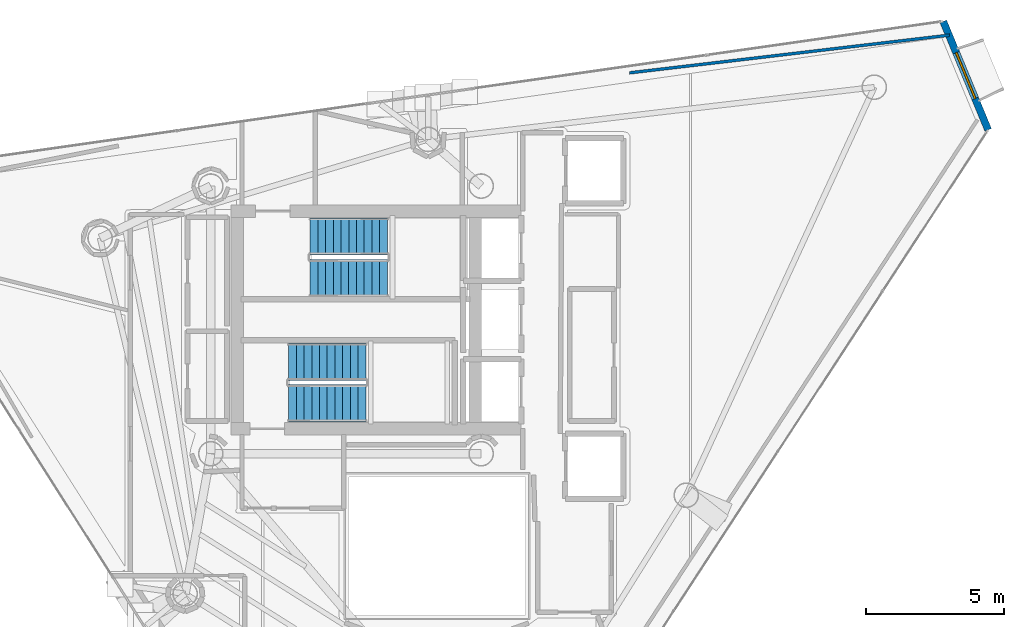
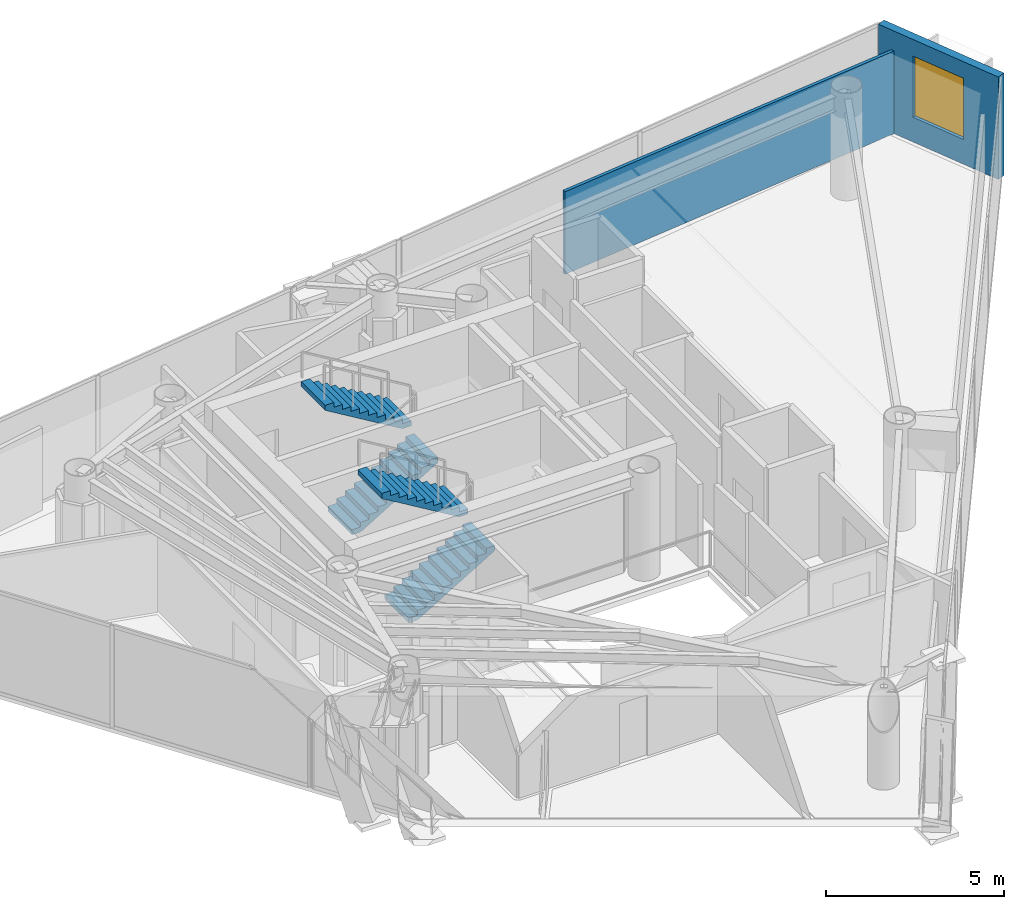
# One storey, part 22 of 25: 4 stair flights, 2 walls, 1 window, 1 opening, 2 elements without a shape of their own.
"""IFC4 building model written with IfcOpenShell, lengths in metres."""

import ifcopenshell
import ifcopenshell.guid

model = None  # the IFC model being written
_history = None  # IfcOwnerHistory: only IFC2X3 demands one
_inside = {}  # id of a spatial element -> (the spatial element, [elements in it])
_under = {}  # id of a project, library or spatial element -> (it, [spatial elements below it])
_declared = {}  # id of a project -> (the project, [libraries it declares])
_typed = {}  # id of a type object -> (the type object, [elements of that type])
_made_of = {}  # id of a material, layer set ... -> (it, [elements and type objects made of it])


def new_model(schema):
    """Start an empty IFC model of exactly this schema.

    Asked for "IFC4X3", IfcOpenShell would pick the latest addendum, in which some entities
    have other attributes; the version numbers below select the first issue.
    IFC2X3 requires an IfcOwnerHistory on every rooted entity: one is made here for all.
    """
    global model, _history
    if schema == "IFC4X3":
        model = ifcopenshell.file(schema_version=(4, 3, 0, 0))
    else:
        model = ifcopenshell.file(schema=schema)
    _inside.clear()
    _under.clear()
    _declared.clear()
    _typed.clear()
    _made_of.clear()
    _history = None
    if model.schema == "IFC2X3":
        org = make("IfcOrganization", Name="unknown")
        user = make(
            "IfcPersonAndOrganization",
            ThePerson=make("IfcPerson", FamilyName="unknown"),
            TheOrganization=org,
        )
        app = make(
            "IfcApplication",
            ApplicationDeveloper=org,
            Version="unknown",
            ApplicationFullName="unknown",
            ApplicationIdentifier="unknown",
        )
        _history = make(
            "IfcOwnerHistory",
            OwningUser=user,
            OwningApplication=app,
            ChangeAction="ADDED",
            CreationDate=0,
        )
    return model


def make(cls, **values):
    """One entity of the class cls with the attributes given. An attribute that is None is left unset."""
    return model.create_entity(
        cls, **{name: value for name, value in values.items() if value is not None}
    )


def rooted(cls, **values):
    """An entity with a GlobalId (a new one), such as an element, a storey or a relation."""
    return make(cls, GlobalId=ifcopenshell.guid.new(), OwnerHistory=_history, **values)


def si_unit(unit_type, name, prefix=None):
    """IfcSIUnit, for example si_unit("LENGTHUNIT", "METRE", prefix="MILLI")."""
    return make("IfcSIUnit", UnitType=unit_type, Prefix=prefix, Name=name)


def assignment(units):
    """IfcUnitAssignment: the units of a project."""
    return None if units is None else make("IfcUnitAssignment", Units=units)


def point(xyz):
    """IfcCartesianPoint."""
    return None if xyz is None else make("IfcCartesianPoint", Coordinates=xyz)


def direction(xyz):
    """IfcDirection."""
    return None if xyz is None else make("IfcDirection", DirectionRatios=xyz)


def frame(location, z_axis=None, x_axis=None):
    """IfcAxis2Placement3D, a coordinate frame: its origin and axes. An axis left out is left unset."""
    return make(
        "IfcAxis2Placement3D",
        Location=point(location),
        Axis=direction(z_axis),
        RefDirection=direction(x_axis),
    )


def frame_2d(location, x_axis=None):
    """IfcAxis2Placement2D, a coordinate frame in the plane: its origin and x axis."""
    return make(
        "IfcAxis2Placement2D", Location=point(location), RefDirection=direction(x_axis)
    )


def origin():
    """The frame at (0, 0, 0) with its axes left unset."""
    return frame((0.0, 0.0, 0.0))


def place(relative_to, where):
    """IfcLocalPlacement: puts the frame where relative to a parent placement (None: the world)."""
    return make(
        "IfcLocalPlacement", PlacementRelTo=relative_to, RelativePlacement=where
    )


def context(
    kind, dimensions, precision=None, world=None, true_north=None, identifier=None
):
    """IfcGeometricRepresentationContext, for example the 3D "Model" context."""
    return make(
        "IfcGeometricRepresentationContext",
        ContextIdentifier=identifier,
        ContextType=kind,
        CoordinateSpaceDimension=dimensions,
        Precision=precision,
        WorldCoordinateSystem=world,
        TrueNorth=true_north,
    )


def subcontext(parent, identifier, kind, view, scale=None):
    """IfcGeometricRepresentationSubContext, for example "Body" below "Model"."""
    return make(
        "IfcGeometricRepresentationSubContext",
        ContextIdentifier=identifier,
        ContextType=kind,
        ParentContext=parent,
        TargetScale=scale,
        TargetView=view,
    )


def project(units=None, contexts=None):
    """IfcProject with its units and contexts."""
    return rooted(
        "IfcProject",
        Name="project",
        RepresentationContexts=contexts,
        UnitsInContext=assignment(units),
    )


def spatial(cls, under=None, at=None, **own):
    """A site, building, storey or space (cls), placed at a placement, below another one or the project."""
    s = rooted(cls, ObjectPlacement=at, **own)
    if under is not None:
        _under.setdefault(under.id(), (under, []))[1].append(s)
    return s


def polyline(points):
    """IfcPolyline through the points."""
    return make("IfcPolyline", Points=[point(p) for p in points])


def profile(cls, at=None, kind="AREA", **sizes):
    """A parametric profile (cls). Its sizes go by their IFC names, for example OverallWidth=200.0."""
    return make(cls, ProfileType=kind, Position=at, **sizes)


def rectangle(**sizes):
    """IfcRectangleProfileDef."""
    return profile("IfcRectangleProfileDef", **sizes)


def outline(outer, holes=None, kind="AREA"):
    """IfcArbitraryClosedProfileDef: a profile drawn as a closed curve; with holes, ...WithVoids."""
    if holes is None:
        return make("IfcArbitraryClosedProfileDef", ProfileType=kind, OuterCurve=outer)
    return make(
        "IfcArbitraryProfileDefWithVoids",
        ProfileType=kind,
        OuterCurve=outer,
        InnerCurves=holes,
    )


def extrude(swept, where, along, depth):
    """IfcExtrudedAreaSolid: the profile swept, set in the frame where, extruded along a direction by depth."""
    return make(
        "IfcExtrudedAreaSolid",
        SweptArea=swept,
        Position=where,
        ExtrudedDirection=direction(along),
        Depth=depth,
    )


def shape(context_of_items, identifier, shape_type, items):
    """IfcShapeRepresentation: the items that make up one representation, for example the "Body"."""
    return make(
        "IfcShapeRepresentation",
        ContextOfItems=context_of_items,
        RepresentationIdentifier=identifier,
        RepresentationType=shape_type,
        Items=items,
    )


def material(Name=None, Category=None):
    """IfcMaterial."""
    return make("IfcMaterial", Name=Name, Category=Category)


def layer(
    of_material, thickness, ventilated=None, Name=None, Category=None, Priority=None
):
    """IfcMaterialLayer: one layer of a wall or slab, of a material (None: an air gap)."""
    return make(
        "IfcMaterialLayer",
        Material=of_material,
        LayerThickness=thickness,
        IsVentilated=ventilated,
        Name=Name,
        Category=Category,
        Priority=Priority,
    )


def layer_set(layers, Name=None):
    """IfcMaterialLayerSet."""
    return make("IfcMaterialLayerSet", MaterialLayers=layers, LayerSetName=Name)


def made_of(thing, what):
    """Note that an element or type object is made of a material, layer set ...; save() writes the relation."""
    if what is not None:
        _made_of.setdefault(what.id(), (what, []))[1].append(thing)
    return thing


def type_object(cls, material=None, **own):
    """A type object (cls), such as IfcWallType, which elements share."""
    return made_of(rooted(cls, **own), material)


def element(
    cls,
    number,
    at=None,
    inside=None,
    cuts=None,
    type_object=None,
    material=None,
    context=None,
    identifier="Body",
    shape_type=None,
    held_by="IfcProductDefinitionShape",
    body=None,
    shapes=None,
    **own,
):
    """One element of the class cls, such as IfcWall. Its Tag is "e" and its number.

    at: its placement. inside: the storey or other place that contains it. cuts: it is an
    opening in that element (IfcRelVoidsElement). A single representation is given by context,
    identifier, shape_type and body (its items); several are given by shapes. held_by: the class
    of the entity that holds the representations. save() writes the other relations.
    """
    e = rooted(cls, Tag="e%d" % number, ObjectPlacement=at, **own)
    if body is not None:
        shapes = [shape(context, identifier, shape_type, body)]
    if shapes is not None:
        e.Representation = make(held_by, Representations=shapes)
    if inside is not None:
        _inside.setdefault(inside.id(), (inside, []))[1].append(e)
    if cuts is not None:
        rooted(
            "IfcRelVoidsElement", RelatingBuildingElement=cuts, RelatedOpeningElement=e
        )
    if type_object is not None:
        _typed.setdefault(type_object.id(), (type_object, []))[1].append(e)
    return made_of(e, material)


def fill(opening, filler):
    """IfcRelFillsElement: the door or window that sits in an opening."""
    return rooted(
        "IfcRelFillsElement",
        RelatingOpeningElement=opening,
        RelatedBuildingElement=filler,
    )


def aggregate(whole, parts):
    """IfcRelAggregates: a whole, such as a stair, and the parts it consists of."""
    return rooted("IfcRelAggregates", RelatingObject=whole, RelatedObjects=parts)


def save(model, path):
    """Write the relations noted so far, then the file.

    IfcRelAggregates (storeys below a building ...), IfcRelContainedInSpatialStructure (elements
    in a storey), IfcRelDefinesByType, IfcRelAssociatesMaterial and IfcRelDeclares: one each for
    every whole, place, type object, material and project.
    """
    for whole, parts in _under.values():
        aggregate(whole, parts)
    for where, things in _inside.values():
        rooted(
            "IfcRelContainedInSpatialStructure",
            RelatedElements=things,
            RelatingStructure=where,
        )
    for kind, things in _typed.values():
        rooted("IfcRelDefinesByType", RelatedObjects=things, RelatingType=kind)
    for what, things in _made_of.values():
        rooted("IfcRelAssociatesMaterial", RelatedObjects=things, RelatingMaterial=what)
    for by, libraries in _declared.values():
        rooted("IfcRelDeclares", RelatingContext=by, RelatedDefinitions=libraries)
    model.write(path)


model = new_model("IFC4")

# Units and contexts
model_context = context("Model", 3, precision=1e-05, world=origin(), true_north=direction((0.0, 1.0)))
body_context = subcontext(model_context, "Body", "Model", "MODEL_VIEW")
ifc_project = project(units=[si_unit("LENGTHUNIT", "METRE"), si_unit("AREAUNIT", "SQUARE_METRE"), si_unit("VOLUMEUNIT", "CUBIC_METRE"), si_unit("PLANEANGLEUNIT", "RADIAN"), si_unit("MASSUNIT", "GRAM", prefix="KILO")], contexts=[model_context])

# Site, building, storey
site_placement = place(None, origin())
site = spatial("IfcSite", under=ifc_project, at=site_placement, CompositionType="ELEMENT")
building_placement = place(site_placement, origin())
building = spatial("IfcBuilding", under=site, at=building_placement, Name="Qianvela Tower", CompositionType="ELEMENT")
storey_placement = place(building_placement, frame((0.0, 0.0, 295.39990234375)))
storey = spatial("IfcBuildingStorey", under=building, at=storey_placement, Name="L76", CompositionType="ELEMENT", Elevation=295.39990234375)

# Wall, opening, window
ifc_material_1 = material(Name="Terracotta Cladding on Concrete C40", Category="masonry")
ifc_layer_1 = layer(ifc_material_1, 0.260009765625)
ifc_layer_set_1 = layer_set([ifc_layer_1], Name="Terracotta Cladding on Concrete C40")
wall_type_1 = type_object("IfcWallType", Name="TERRACOTTA-WALL-260", PredefinedType="SOLIDWALL", material=ifc_layer_set_1)
wall_1_placement = place(storey_placement, frame((56.7744140625, 35.58642578125, 0.0), z_axis=(0.0, 0.0, 1.0), x_axis=(-0.382036002316, 0.924147441123, 0.0)))
wall_1 = element("IfcWall", 1, at=wall_1_placement, inside=storey, type_object=wall_type_1, Name="L76 Terracotta Chamfer Facet Wall 1", PredefinedType="SOLIDWALL", context=body_context, shape_type="SweptSolid", body=[
    extrude(rectangle(XDim=4.2568359375, YDim=0.260009765625, at=frame_2d((2.12841796875, 0.0))), origin(), (0.0, 0.0, 1.0), 3.52001953125),
])
opening_placement = place(wall_1_placement, frame((1.228271484375, 0.0, 0.85009765625)))
opening = element("IfcOpeningElement", 2, at=opening_placement, cuts=wall_1, Name="Opening W-01", PredefinedType="OPENING", context=body_context, shape_type="SweptSolid", body=[
    extrude(rectangle(XDim=1.800048828125, YDim=2.10009765625, at=frame_2d((0.89990234375, 1.050048828125))), frame((0.0, 0.139892578125, 0.0), z_axis=(0.0, -1.0, 0.0), x_axis=(1.0, 0.0, 0.0)), (0.0, 0.0, 1.0), 0.280029296875),
])
ifc_material_2 = material(Name="Thermally Broken Aluminium and Low-E Glass", Category="aluminium")
window_type = type_object("IfcWindowType", Name="WIN-TC-1800x2100", PartitioningType="DOUBLE_PANEL_VERTICAL", PredefinedType="WINDOW", material=ifc_material_2)
window_placement = place(opening_placement, origin())
window = element("IfcWindow", 3, at=window_placement, inside=storey, type_object=window_type, Name="L76 Chamfer Facet Window 1.1", OverallHeight=2.10009765625, OverallWidth=1.800048828125, PartitioningType="SINGLE_PANEL", PredefinedType="WINDOW", context=body_context, shape_type="SweptSolid", body=[
    extrude(rectangle(XDim=1.800048828125, YDim=2.10009765625, at=frame_2d((0.89990234375, 1.050048828125))), frame((0.0, 0.030029296875, 0.0), z_axis=(0.0, -1.0, 0.0), x_axis=(1.0, 0.0, 0.0)), (0.0, 0.0, 1.0), 0.06005859375),
])
fill(opening, window)

# Wall
ifc_material_3 = material(Name="Lightweight Gypsum Room Partition")
ifc_layer_2 = layer(ifc_material_3, 0.10498046875)
ifc_layer_set_2 = layer_set([ifc_layer_2], Name="Lightweight Gypsum Room Partition")
wall_type_2 = type_object("IfcWallType", Name="WT-PART-105", PredefinedType="PARTITIONING", material=ifc_layer_set_2)
wall_2_placement = place(storey_placement, frame((43.771484375, 37.653076171875, 0.0), z_axis=(0.0, 0.0, 1.0), x_axis=(0.993120906241, 0.117093405398, 0.0)))
element("IfcWall", 4, at=wall_2_placement, inside=storey, type_object=wall_type_2, Name="L76 Partition 110 seg 2", PredefinedType="PARTITIONING", context=body_context, shape_type="SweptSolid", body=[
    extrude(rectangle(XDim=11.684326171875, YDim=0.10498046875, at=frame_2d((5.84228515625, 0.0))), origin(), (0.0, 0.0, 1.0), 2.840087890625),
])

# Stair, stair flights
ifc_material_4 = material(Name="Concrete C40", Category="concrete")
stair_type = type_object("IfcStairType", Name="ST-DOGLEG-1350-R168-N22", PredefinedType="HALF_TURN_STAIR", material=ifc_material_4)
stair_1_placement = place(storey_placement, origin())
stair_1 = element("IfcStair", 5, at=stair_1_placement, inside=storey, type_object=stair_type, Name="L76 Smoke-Proof Core Stair ST-1", PredefinedType="HALF_TURN_STAIR")
ifc_material_5 = material(Name="Concrete C40", Category="concrete")
stair_flight_type = type_object("IfcStairFlightType", Name="STF-STRAIGHT-R168-P11", PredefinedType="STRAIGHT", material=ifc_material_5)
stair_flight_1_placement = place(storey_placement, frame((32.199951171875, 30.215087890625, 0.0), z_axis=(0.0, 0.0, 1.0), x_axis=(1.0, 0.0, 0.0)))
stair_flight_1 = element("IfcStairFlight", 6, at=stair_flight_1_placement, type_object=stair_flight_type, Name="ST-1 flight 1", NumberOfRisers=11, NumberOfTreads=10, PredefinedType="STRAIGHT", RiserHeight=0.168181818, TreadLength=0.28, context=body_context, shape_type="SweptSolid", body=[
    extrude(outline(polyline([(0.0, 0.0), (0.0, 0.168212890625), (0.280029296875, 0.168212890625), (0.280029296875, 0.33642578125), (0.56005859375, 0.33642578125), (0.56005859375, 0.504638671875), (0.840087890625, 0.504638671875), (0.840087890625, 0.672607421875), (1.1201171875, 0.672607421875), (1.1201171875, 0.8408203125), (1.39990234375, 0.8408203125), (1.39990234375, 1.009033203125), (1.679931640625, 1.009033203125), (1.679931640625, 1.17724609375), (1.9599609375, 1.17724609375), (1.9599609375, 1.345458984375), (2.239990234375, 1.345458984375), (2.239990234375, 1.513671875), (2.52001953125, 1.513671875), (2.52001953125, 1.681884765625), (2.800048828125, 1.681884765625), (2.800048828125, 1.85009765625), (2.800048828125, 1.5068359375), (0.291015625, 0.0), (0.0, 0.0)])), frame((0.0, 0.675048828125, 0.0), z_axis=(0.0, -1.0, 0.0), x_axis=(1.0, 0.0, 0.0)), (0.0, 0.0, 1.0), 1.35009765625),
])
stair_flight_2_placement = place(storey_placement, frame((35.0, 31.72509765625, 1.85009765625), z_axis=(0.0, 0.0, 1.0), x_axis=(-1.0, 0.0, 0.0)))
stair_flight_2 = element("IfcStairFlight", 7, at=stair_flight_2_placement, type_object=stair_flight_type, Name="ST-1 flight 2", NumberOfRisers=11, NumberOfTreads=10, PredefinedType="STRAIGHT", RiserHeight=0.168181818, TreadLength=0.28, context=body_context, shape_type="SweptSolid", body=[
    extrude(outline(polyline([(0.0, 0.0), (0.0, 0.168212890625), (0.280029296875, 0.168212890625), (0.280029296875, 0.33642578125), (0.56005859375, 0.33642578125), (0.56005859375, 0.504638671875), (0.840087890625, 0.504638671875), (0.840087890625, 0.672607421875), (1.1201171875, 0.672607421875), (1.1201171875, 0.8408203125), (1.39990234375, 0.8408203125), (1.39990234375, 1.009033203125), (1.679931640625, 1.009033203125), (1.679931640625, 1.17724609375), (1.9599609375, 1.17724609375), (1.9599609375, 1.345458984375), (2.239990234375, 1.345458984375), (2.239990234375, 1.513671875), (2.52001953125, 1.513671875), (2.52001953125, 1.681884765625), (2.800048828125, 1.681884765625), (2.800048828125, 1.85009765625), (2.800048828125, 1.5068359375), (0.291015625, 0.0), (0.0, 0.0)])), frame((0.0, 0.675048828125, 0.0), z_axis=(0.0, -1.0, 0.0), x_axis=(1.0, 0.0, 0.0)), (0.0, 0.0, 1.0), 1.35009765625),
])
aggregate(stair_1, [stair_flight_1, stair_flight_2])

stair_2_placement = place(storey_placement, origin())
stair_2 = element("IfcStair", 8, at=stair_2_placement, inside=storey, type_object=stair_type, Name="L76 Smoke-Proof Core Stair ST-2", PredefinedType="HALF_TURN_STAIR")
stair_flight_3_placement = place(storey_placement, frame((31.419921875, 25.675048828125, 0.0), z_axis=(0.0, 0.0, 1.0), x_axis=(1.0, 0.0, 0.0)))
stair_flight_3 = element("IfcStairFlight", 9, at=stair_flight_3_placement, type_object=stair_flight_type, Name="ST-2 flight 1", NumberOfRisers=11, NumberOfTreads=10, PredefinedType="STRAIGHT", RiserHeight=0.168181818, TreadLength=0.28, context=body_context, shape_type="SweptSolid", body=[
    extrude(outline(polyline([(0.0, 0.0), (0.0, 0.168212890625), (0.280029296875, 0.168212890625), (0.280029296875, 0.33642578125), (0.56005859375, 0.33642578125), (0.56005859375, 0.504638671875), (0.840087890625, 0.504638671875), (0.840087890625, 0.672607421875), (1.1201171875, 0.672607421875), (1.1201171875, 0.8408203125), (1.39990234375, 0.8408203125), (1.39990234375, 1.009033203125), (1.679931640625, 1.009033203125), (1.679931640625, 1.17724609375), (1.9599609375, 1.17724609375), (1.9599609375, 1.345458984375), (2.239990234375, 1.345458984375), (2.239990234375, 1.513671875), (2.52001953125, 1.513671875), (2.52001953125, 1.681884765625), (2.800048828125, 1.681884765625), (2.800048828125, 1.85009765625), (2.800048828125, 1.5068359375), (0.291015625, 0.0), (0.0, 0.0)])), frame((0.0, 0.675048828125, 0.0), z_axis=(0.0, -1.0, 0.0), x_axis=(1.0, 0.0, 0.0)), (0.0, 0.0, 1.0), 1.35009765625),
])
stair_flight_4_placement = place(storey_placement, frame((34.219970703125, 27.18505859375, 1.85009765625), z_axis=(0.0, 0.0, 1.0), x_axis=(-1.0, 0.0, 0.0)))
stair_flight_4 = element("IfcStairFlight", 10, at=stair_flight_4_placement, type_object=stair_flight_type, Name="ST-2 flight 2", NumberOfRisers=11, NumberOfTreads=10, PredefinedType="STRAIGHT", RiserHeight=0.168181818, TreadLength=0.28, context=body_context, shape_type="SweptSolid", body=[
    extrude(outline(polyline([(0.0, 0.0), (0.0, 0.168212890625), (0.280029296875, 0.168212890625), (0.280029296875, 0.33642578125), (0.56005859375, 0.33642578125), (0.56005859375, 0.504638671875), (0.840087890625, 0.504638671875), (0.840087890625, 0.672607421875), (1.1201171875, 0.672607421875), (1.1201171875, 0.8408203125), (1.39990234375, 0.8408203125), (1.39990234375, 1.009033203125), (1.679931640625, 1.009033203125), (1.679931640625, 1.17724609375), (1.9599609375, 1.17724609375), (1.9599609375, 1.345458984375), (2.239990234375, 1.345458984375), (2.239990234375, 1.513671875), (2.52001953125, 1.513671875), (2.52001953125, 1.681884765625), (2.800048828125, 1.681884765625), (2.800048828125, 1.85009765625), (2.800048828125, 1.5068359375), (0.291015625, 0.0), (0.0, 0.0)])), frame((0.0, 0.675048828125, 0.0), z_axis=(0.0, -1.0, 0.0), x_axis=(1.0, 0.0, 0.0)), (0.0, 0.0, 1.0), 1.35009765625),
])
aggregate(stair_2, [stair_flight_3, stair_flight_4])

save(model, "model.ifc")
